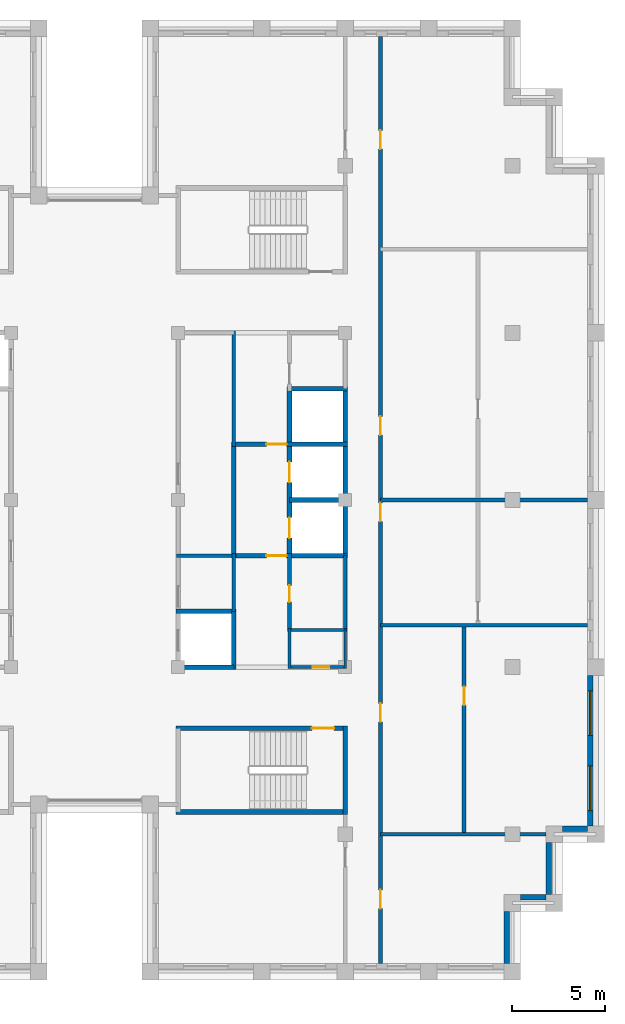
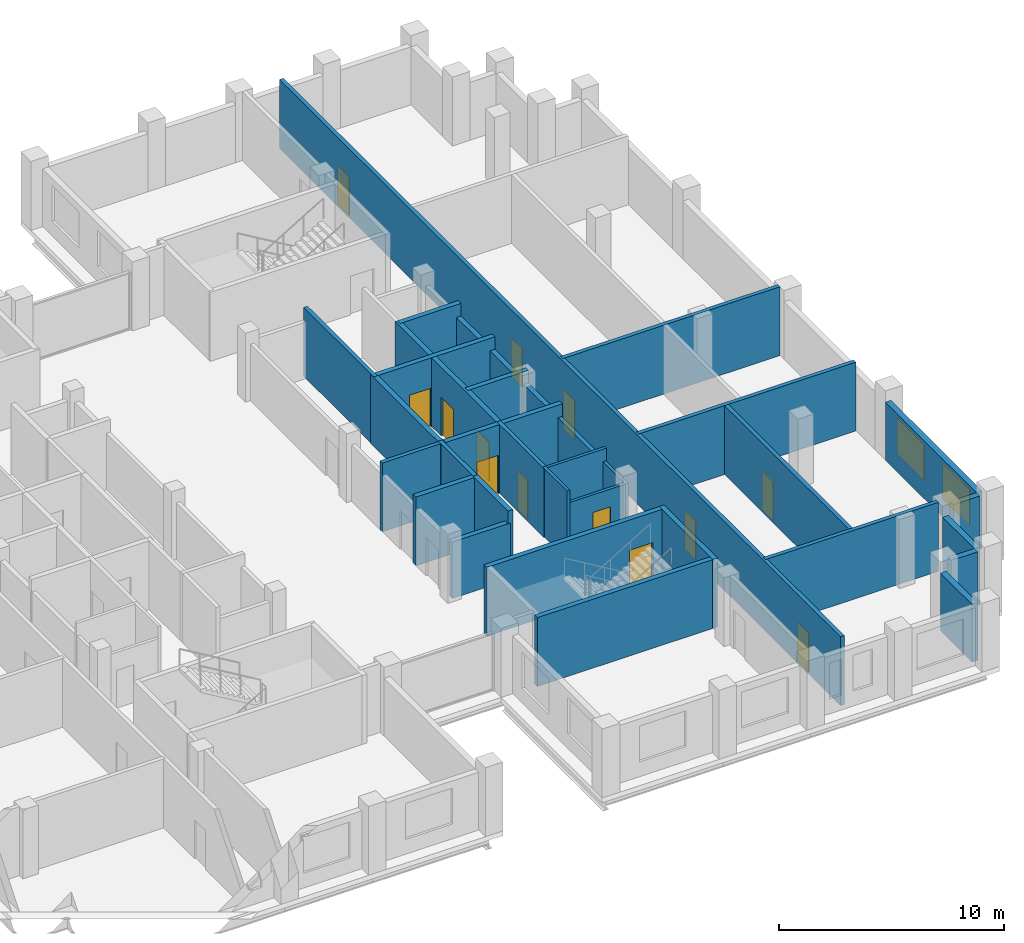
# One storey, part 8 of 13: 32 walls, 13 doors, 2 windows, 15 openings.
"""IFC4 building model written with IfcOpenShell, lengths in metres."""

import ifcopenshell
import ifcopenshell.guid

model = None  # the IFC model being written
_history = None  # IfcOwnerHistory: only IFC2X3 demands one
_inside = {}  # id of a spatial element -> (the spatial element, [elements in it])
_under = {}  # id of a project, library or spatial element -> (it, [spatial elements below it])
_declared = {}  # id of a project -> (the project, [libraries it declares])
_typed = {}  # id of a type object -> (the type object, [elements of that type])
_made_of = {}  # id of a material, layer set ... -> (it, [elements and type objects made of it])


def new_model(schema):
    """Start an empty IFC model of exactly this schema.

    Asked for "IFC4X3", IfcOpenShell would pick the latest addendum, in which some entities
    have other attributes; the version numbers below select the first issue.
    IFC2X3 requires an IfcOwnerHistory on every rooted entity: one is made here for all.
    """
    global model, _history
    if schema == "IFC4X3":
        model = ifcopenshell.file(schema_version=(4, 3, 0, 0))
    else:
        model = ifcopenshell.file(schema=schema)
    _inside.clear()
    _under.clear()
    _declared.clear()
    _typed.clear()
    _made_of.clear()
    _history = None
    if model.schema == "IFC2X3":
        org = make("IfcOrganization", Name="unknown")
        user = make(
            "IfcPersonAndOrganization",
            ThePerson=make("IfcPerson", FamilyName="unknown"),
            TheOrganization=org,
        )
        app = make(
            "IfcApplication",
            ApplicationDeveloper=org,
            Version="unknown",
            ApplicationFullName="unknown",
            ApplicationIdentifier="unknown",
        )
        _history = make(
            "IfcOwnerHistory",
            OwningUser=user,
            OwningApplication=app,
            ChangeAction="ADDED",
            CreationDate=0,
        )
    return model


def make(cls, **values):
    """One entity of the class cls with the attributes given. An attribute that is None is left unset."""
    return model.create_entity(
        cls, **{name: value for name, value in values.items() if value is not None}
    )


def rooted(cls, **values):
    """An entity with a GlobalId (a new one), such as an element, a storey or a relation."""
    return make(cls, GlobalId=ifcopenshell.guid.new(), OwnerHistory=_history, **values)


def si_unit(unit_type, name, prefix=None):
    """IfcSIUnit, for example si_unit("LENGTHUNIT", "METRE", prefix="MILLI")."""
    return make("IfcSIUnit", UnitType=unit_type, Prefix=prefix, Name=name)


def assignment(units):
    """IfcUnitAssignment: the units of a project."""
    return None if units is None else make("IfcUnitAssignment", Units=units)


def point(xyz):
    """IfcCartesianPoint."""
    return None if xyz is None else make("IfcCartesianPoint", Coordinates=xyz)


def direction(xyz):
    """IfcDirection."""
    return None if xyz is None else make("IfcDirection", DirectionRatios=xyz)


def frame(location, z_axis=None, x_axis=None):
    """IfcAxis2Placement3D, a coordinate frame: its origin and axes. An axis left out is left unset."""
    return make(
        "IfcAxis2Placement3D",
        Location=point(location),
        Axis=direction(z_axis),
        RefDirection=direction(x_axis),
    )


def frame_2d(location, x_axis=None):
    """IfcAxis2Placement2D, a coordinate frame in the plane: its origin and x axis."""
    return make(
        "IfcAxis2Placement2D", Location=point(location), RefDirection=direction(x_axis)
    )


def origin():
    """The frame at (0, 0, 0) with its axes left unset."""
    return frame((0.0, 0.0, 0.0))


def place(relative_to, where):
    """IfcLocalPlacement: puts the frame where relative to a parent placement (None: the world)."""
    return make(
        "IfcLocalPlacement", PlacementRelTo=relative_to, RelativePlacement=where
    )


def context(
    kind, dimensions, precision=None, world=None, true_north=None, identifier=None
):
    """IfcGeometricRepresentationContext, for example the 3D "Model" context."""
    return make(
        "IfcGeometricRepresentationContext",
        ContextIdentifier=identifier,
        ContextType=kind,
        CoordinateSpaceDimension=dimensions,
        Precision=precision,
        WorldCoordinateSystem=world,
        TrueNorth=true_north,
    )


def subcontext(parent, identifier, kind, view, scale=None):
    """IfcGeometricRepresentationSubContext, for example "Body" below "Model"."""
    return make(
        "IfcGeometricRepresentationSubContext",
        ContextIdentifier=identifier,
        ContextType=kind,
        ParentContext=parent,
        TargetScale=scale,
        TargetView=view,
    )


def project(units=None, contexts=None):
    """IfcProject with its units and contexts."""
    return rooted(
        "IfcProject",
        Name="project",
        RepresentationContexts=contexts,
        UnitsInContext=assignment(units),
    )


def spatial(cls, under=None, at=None, **own):
    """A site, building, storey or space (cls), placed at a placement, below another one or the project."""
    s = rooted(cls, ObjectPlacement=at, **own)
    if under is not None:
        _under.setdefault(under.id(), (under, []))[1].append(s)
    return s


def profile(cls, at=None, kind="AREA", **sizes):
    """A parametric profile (cls). Its sizes go by their IFC names, for example OverallWidth=200.0."""
    return make(cls, ProfileType=kind, Position=at, **sizes)


def rectangle(**sizes):
    """IfcRectangleProfileDef."""
    return profile("IfcRectangleProfileDef", **sizes)


def extrude(swept, where, along, depth):
    """IfcExtrudedAreaSolid: the profile swept, set in the frame where, extruded along a direction by depth."""
    return make(
        "IfcExtrudedAreaSolid",
        SweptArea=swept,
        Position=where,
        ExtrudedDirection=direction(along),
        Depth=depth,
    )


def shape(context_of_items, identifier, shape_type, items):
    """IfcShapeRepresentation: the items that make up one representation, for example the "Body"."""
    return make(
        "IfcShapeRepresentation",
        ContextOfItems=context_of_items,
        RepresentationIdentifier=identifier,
        RepresentationType=shape_type,
        Items=items,
    )


def material(Name=None, Category=None):
    """IfcMaterial."""
    return make("IfcMaterial", Name=Name, Category=Category)


def layer(
    of_material, thickness, ventilated=None, Name=None, Category=None, Priority=None
):
    """IfcMaterialLayer: one layer of a wall or slab, of a material (None: an air gap)."""
    return make(
        "IfcMaterialLayer",
        Material=of_material,
        LayerThickness=thickness,
        IsVentilated=ventilated,
        Name=Name,
        Category=Category,
        Priority=Priority,
    )


def layer_set(layers, Name=None):
    """IfcMaterialLayerSet."""
    return make("IfcMaterialLayerSet", MaterialLayers=layers, LayerSetName=Name)


def made_of(thing, what):
    """Note that an element or type object is made of a material, layer set ...; save() writes the relation."""
    if what is not None:
        _made_of.setdefault(what.id(), (what, []))[1].append(thing)
    return thing


def type_object(cls, material=None, **own):
    """A type object (cls), such as IfcWallType, which elements share."""
    return made_of(rooted(cls, **own), material)


def element(
    cls,
    number,
    at=None,
    inside=None,
    cuts=None,
    type_object=None,
    material=None,
    context=None,
    identifier="Body",
    shape_type=None,
    held_by="IfcProductDefinitionShape",
    body=None,
    shapes=None,
    **own,
):
    """One element of the class cls, such as IfcWall. Its Tag is "e" and its number.

    at: its placement. inside: the storey or other place that contains it. cuts: it is an
    opening in that element (IfcRelVoidsElement). A single representation is given by context,
    identifier, shape_type and body (its items); several are given by shapes. held_by: the class
    of the entity that holds the representations. save() writes the other relations.
    """
    e = rooted(cls, Tag="e%d" % number, ObjectPlacement=at, **own)
    if body is not None:
        shapes = [shape(context, identifier, shape_type, body)]
    if shapes is not None:
        e.Representation = make(held_by, Representations=shapes)
    if inside is not None:
        _inside.setdefault(inside.id(), (inside, []))[1].append(e)
    if cuts is not None:
        rooted(
            "IfcRelVoidsElement", RelatingBuildingElement=cuts, RelatedOpeningElement=e
        )
    if type_object is not None:
        _typed.setdefault(type_object.id(), (type_object, []))[1].append(e)
    return made_of(e, material)


def fill(opening, filler):
    """IfcRelFillsElement: the door or window that sits in an opening."""
    return rooted(
        "IfcRelFillsElement",
        RelatingOpeningElement=opening,
        RelatedBuildingElement=filler,
    )


def aggregate(whole, parts):
    """IfcRelAggregates: a whole, such as a stair, and the parts it consists of."""
    return rooted("IfcRelAggregates", RelatingObject=whole, RelatedObjects=parts)


def save(model, path):
    """Write the relations noted so far, then the file.

    IfcRelAggregates (storeys below a building ...), IfcRelContainedInSpatialStructure (elements
    in a storey), IfcRelDefinesByType, IfcRelAssociatesMaterial and IfcRelDeclares: one each for
    every whole, place, type object, material and project.
    """
    for whole, parts in _under.values():
        aggregate(whole, parts)
    for where, things in _inside.values():
        rooted(
            "IfcRelContainedInSpatialStructure",
            RelatedElements=things,
            RelatingStructure=where,
        )
    for kind, things in _typed.values():
        rooted("IfcRelDefinesByType", RelatedObjects=things, RelatingType=kind)
    for what, things in _made_of.values():
        rooted("IfcRelAssociatesMaterial", RelatedObjects=things, RelatingMaterial=what)
    for by, libraries in _declared.values():
        rooted("IfcRelDeclares", RelatingContext=by, RelatedDefinitions=libraries)
    model.write(path)


model = new_model("IFC4")

# Units and contexts
model_context = context("Model", 3, precision=1e-05, world=origin(), true_north=direction((0.0, 1.0)))
body_context = subcontext(model_context, "Body", "Model", "MODEL_VIEW")
ifc_project = project(units=[si_unit("LENGTHUNIT", "METRE"), si_unit("AREAUNIT", "SQUARE_METRE"), si_unit("VOLUMEUNIT", "CUBIC_METRE"), si_unit("PLANEANGLEUNIT", "RADIAN"), si_unit("MASSUNIT", "GRAM", prefix="KILO")], contexts=[model_context])

# Site, building, storey
site_placement = place(None, origin())
site = spatial("IfcSite", under=ifc_project, at=site_placement, CompositionType="ELEMENT")
building_placement = place(site_placement, origin())
building = spatial("IfcBuilding", under=site, at=building_placement, Name="Corbelhall Arena Tower", CompositionType="ELEMENT")
storey_placement = place(building_placement, frame((0.0, 0.0, 330.0)))
storey = spatial("IfcBuildingStorey", under=building, at=storey_placement, Name="L72", CompositionType="ELEMENT", Elevation=330.0)

# Walls
ifc_material_1 = material(Name="Precast concrete C40/50 with granite facing", Category="masonry")
ifc_layer_1 = layer(ifc_material_1, 0.300048828125)
ifc_layer_set_1 = layer_set([ifc_layer_1], Name="EV-IW1 Infill panel 300")
wall_type_1 = type_object("IfcWallType", Name="EV-IW1 Infill panel 300", PredefinedType="SOLIDWALL", material=ifc_layer_set_1)
wall_1_placement = place(storey_placement, frame((22.199951171875, -24.949951171875, 0.0), z_axis=(0.0, 0.0, 1.0), x_axis=(0.0, 1.0, 0.0)))
element("IfcWall", 1, at=wall_1_placement, inside=storey, type_object=wall_type_1, Name="Infill panel IW1", PredefinedType="SOLIDWALL", context=body_context, shape_type="SweptSolid", body=[
    extrude(rectangle(XDim=2.800048828125, YDim=0.300048828125, at=frame_2d((1.39990234375, 0.0))), origin(), (0.0, 0.0, 1.0), 3.139892578125),
])
wall_2_placement = place(storey_placement, frame((22.949951171875, -21.39990234375, 0.0), z_axis=(0.0, 0.0, 1.0), x_axis=(1.0, 0.0, 0.0)))
element("IfcWall", 2, at=wall_2_placement, inside=storey, type_object=wall_type_1, Name="Infill panel IW1", PredefinedType="SOLIDWALL", context=body_context, shape_type="SweptSolid", body=[
    extrude(rectangle(XDim=1.35009765625, YDim=0.300048828125, at=frame_2d((0.675048828125, 0.0))), origin(), (0.0, 0.0, 1.0), 3.139892578125),
])
wall_3_placement = place(storey_placement, frame((24.449951171875, -21.25, 0.0), z_axis=(0.0, 0.0, 1.0), x_axis=(0.0, 1.0, 0.0)))
element("IfcWall", 3, at=wall_3_placement, inside=storey, type_object=wall_type_1, Name="Infill panel IW1", PredefinedType="SOLIDWALL", context=body_context, shape_type="SweptSolid", body=[
    extrude(rectangle(XDim=2.800048828125, YDim=0.300048828125, at=frame_2d((1.39990234375, 0.0))), origin(), (0.0, 0.0, 1.0), 3.139892578125),
])
wall_4_placement = place(storey_placement, frame((25.199951171875, -17.699951171875, 0.0), z_axis=(0.0, 0.0, 1.0), x_axis=(1.0, 0.0, 0.0)))
element("IfcWall", 4, at=wall_4_placement, inside=storey, type_object=wall_type_1, Name="Infill panel IW1", PredefinedType="SOLIDWALL", context=body_context, shape_type="SweptSolid", body=[
    extrude(rectangle(XDim=1.35009765625, YDim=0.300048828125, at=frame_2d((0.675048828125, 0.0))), origin(), (0.0, 0.0, 1.0), 3.139892578125),
])

# Wall, openings, windows
wall_5_placement = place(storey_placement, frame((26.699951171875, -17.550048828125, 0.0), z_axis=(0.0, 0.0, 1.0), x_axis=(0.0, 1.0, 0.0)))
wall_5 = element("IfcWall", 5, at=wall_5_placement, inside=storey, type_object=wall_type_1, Name="Infill panel IW1", PredefinedType="SOLIDWALL", context=body_context, shape_type="SweptSolid", body=[
    extrude(rectangle(XDim=8.10009765625, YDim=0.300048828125, at=frame_2d((4.050048828125, 0.0))), origin(), (0.0, 0.0, 1.0), 3.139892578125),
])
opening_1_placement = place(wall_5_placement, frame((0.824951171875, 0.0, 0.800048828125)))
opening_1 = element("IfcOpeningElement", 6, at=opening_1_placement, cuts=wall_5, Name="Opening WN1", PredefinedType="OPENING", context=body_context, shape_type="SweptSolid", body=[
    extrude(rectangle(XDim=2.39990234375, YDim=1.949951171875, at=frame_2d((1.199951171875, 0.97509765625))), frame((0.0, 0.14990234375, 0.0), z_axis=(0.0, -1.0, 0.0), x_axis=(1.0, 0.0, 0.0)), (0.0, 0.0, 1.0), 0.300048828125),
])
opening_2_placement = place(wall_5_placement, frame((4.875, 0.0, 0.800048828125)))
opening_2 = element("IfcOpeningElement", 7, at=opening_2_placement, cuts=wall_5, Name="Opening WN1", PredefinedType="OPENING", context=body_context, shape_type="SweptSolid", body=[
    extrude(rectangle(XDim=2.39990234375, YDim=1.949951171875, at=frame_2d((1.199951171875, 0.97509765625))), frame((0.0, 0.14990234375, 0.0), z_axis=(0.0, -1.0, 0.0), x_axis=(1.0, 0.0, 0.0)), (0.0, 0.0, 1.0), 0.300048828125),
])
ifc_material_2 = material(Name="Aluminium black anodised", Category="aluminium")
window_type = type_object("IfcWindowType", Name="EV-WN1 Office window", PartitioningType="SINGLE_PANEL", PredefinedType="WINDOW", material=ifc_material_2)
window_1_placement = place(opening_1_placement, origin())
window_1 = element("IfcWindow", 8, at=window_1_placement, inside=storey, type_object=window_type, Name="Window WN1", OverallHeight=1.949951171875, OverallWidth=2.39990234375, PartitioningType="SINGLE_PANEL", PredefinedType="WINDOW", context=body_context, shape_type="SweptSolid", body=[
    extrude(rectangle(XDim=2.39990234375, YDim=1.949951171875, at=frame_2d((1.199951171875, 0.97509765625))), frame((0.0, 0.030029296875, 0.0), z_axis=(0.0, -1.0, 0.0), x_axis=(1.0, 0.0, 0.0)), (0.0, 0.0, 1.0), 0.06005859375),
])
fill(opening_1, window_1)
window_2_placement = place(opening_2_placement, origin())
window_2 = element("IfcWindow", 9, at=window_2_placement, inside=storey, type_object=window_type, Name="Window WN1", OverallHeight=1.949951171875, OverallWidth=2.39990234375, PartitioningType="SINGLE_PANEL", PredefinedType="WINDOW", context=body_context, shape_type="SweptSolid", body=[
    extrude(rectangle(XDim=2.39990234375, YDim=1.949951171875, at=frame_2d((1.199951171875, 0.97509765625))), frame((0.0, 0.030029296875, 0.0), z_axis=(0.0, -1.0, 0.0), x_axis=(1.0, 0.0, 0.0)), (0.0, 0.0, 1.0), 0.06005859375),
])
fill(opening_2, window_2)

# Wall
ifc_material_3 = material(Name="Gypsum board on steel stud, acoustic", Category="steel")
ifc_layer_2 = layer(ifc_material_3, 0.199951171875)
ifc_layer_set_2 = layer_set([ifc_layer_2], Name="IN-W-DM200")
wall_type_2 = type_object("IfcWallType", Name="IN-W-DM200", PredefinedType="PARTITIONING", material=ifc_layer_set_2)
wall_6_placement = place(storey_placement, frame((15.39990234375, -18.0, 0.0), z_axis=(0.0, 0.0, 1.0), x_axis=(1.0, 0.0, 0.0)))
element("IfcWall", 10, at=wall_6_placement, inside=storey, type_object=wall_type_2, Name="Partition 020", PredefinedType="PARTITIONING", context=body_context, shape_type="SweptSolid", body=[
    extrude(rectangle(XDim=8.900146484375, YDim=0.199951171875, at=frame_2d((4.4501953125, 0.0))), origin(), (0.0, 0.0, 1.0), 3.739990234375),
])

# Wall, openings, doors
wall_7_placement = place(storey_placement, frame((15.39990234375, 24.949951171875, 0.0), z_axis=(0.0, 0.0, 1.0), x_axis=(0.0, -1.0, 0.0)))
wall_7 = element("IfcWall", 11, at=wall_7_placement, inside=storey, type_object=wall_type_2, Name="Partition 021", PredefinedType="PARTITIONING", context=body_context, shape_type="SweptSolid", body=[
    extrude(rectangle(XDim=49.89990234375, YDim=0.199951171875, at=frame_2d((24.949951171875, 0.0))), origin(), (0.0, 0.0, 1.0), 3.739990234375),
])
opening_3_placement = place(wall_7_placement, frame((20.449951171875, 0.0, 0.0)))
opening_3 = element("IfcOpeningElement", 12, at=opening_3_placement, cuts=wall_7, Name="Opening 23029", PredefinedType="OPENING", context=body_context, shape_type="SweptSolid", body=[
    extrude(rectangle(XDim=1.0, YDim=2.10009765625, at=frame_2d((0.5, 1.050048828125))), frame((0.0, 0.10009765625, 0.0), z_axis=(0.0, -1.0, 0.0), x_axis=(1.0, 0.0, 0.0)), (0.0, 0.0, 1.0), 0.199951171875),
])
opening_4_placement = place(wall_7_placement, frame((5.050048828125, 0.0, 0.0)))
opening_4 = element("IfcOpeningElement", 13, at=opening_4_placement, cuts=wall_7, Name="Opening 23031", PredefinedType="OPENING", context=body_context, shape_type="SweptSolid", body=[
    extrude(rectangle(XDim=1.0, YDim=2.10009765625, at=frame_2d((0.5, 1.050048828125))), frame((0.0, 0.10009765625, 0.0), z_axis=(0.0, -1.0, 0.0), x_axis=(1.0, 0.0, 0.0)), (0.0, 0.0, 1.0), 0.199951171875),
])
opening_5_placement = place(wall_7_placement, frame((45.949951171875, 0.0, 0.0)))
opening_5 = element("IfcOpeningElement", 14, at=opening_5_placement, cuts=wall_7, Name="Opening 23032", PredefinedType="OPENING", context=body_context, shape_type="SweptSolid", body=[
    extrude(rectangle(XDim=1.0, YDim=2.10009765625, at=frame_2d((0.5, 1.050048828125))), frame((0.0, 0.10009765625, 0.0), z_axis=(0.0, -1.0, 0.0), x_axis=(1.0, 0.0, 0.0)), (0.0, 0.0, 1.0), 0.199951171875),
])
opening_6_placement = place(wall_7_placement, frame((35.89990234375, 0.0, 0.0)))
opening_6 = element("IfcOpeningElement", 15, at=opening_6_placement, cuts=wall_7, Name="Opening 23033", PredefinedType="OPENING", context=body_context, shape_type="SweptSolid", body=[
    extrude(rectangle(XDim=1.0, YDim=2.10009765625, at=frame_2d((0.5, 1.050048828125))), frame((0.0, 0.10009765625, 0.0), z_axis=(0.0, -1.0, 0.0), x_axis=(1.0, 0.0, 0.0)), (0.0, 0.0, 1.0), 0.199951171875),
])
opening_7_placement = place(wall_7_placement, frame((25.10009765625, 0.0, 0.0)))
opening_7 = element("IfcOpeningElement", 16, at=opening_7_placement, cuts=wall_7, Name="Opening 23335", PredefinedType="OPENING", context=body_context, shape_type="SweptSolid", body=[
    extrude(rectangle(XDim=1.0, YDim=2.10009765625, at=frame_2d((0.5, 1.050048828125))), frame((0.0, 0.10009765625, 0.0), z_axis=(0.0, -1.0, 0.0), x_axis=(1.0, 0.0, 0.0)), (0.0, 0.0, 1.0), 0.199951171875),
])
ifc_material_4 = material(Name="Steel door set", Category="steel")
door_type_1 = type_object("IfcDoorType", Name="IN-D-SW100", OperationType="NOTDEFINED", PredefinedType="DOOR", material=ifc_material_4)
door_1_placement = place(opening_3_placement, origin())
door_1 = element("IfcDoor", 17, at=door_1_placement, inside=storey, type_object=door_type_1, Name="Door 029", OperationType="SINGLE_SWING_RIGHT", OverallHeight=2.10009765625, OverallWidth=1.0, PredefinedType="DOOR", context=body_context, shape_type="SweptSolid", body=[
    extrude(rectangle(XDim=1.0, YDim=2.10009765625, at=frame_2d((0.5, 1.050048828125))), frame((0.0, 0.02490234375, 0.0), z_axis=(0.0, -1.0, 0.0), x_axis=(1.0, 0.0, 0.0)), (0.0, 0.0, 1.0), 0.050048828125),
])
fill(opening_3, door_1)
door_2_placement = place(opening_4_placement, origin())
door_2 = element("IfcDoor", 18, at=door_2_placement, inside=storey, type_object=door_type_1, Name="Door 031", OperationType="SINGLE_SWING_RIGHT", OverallHeight=2.10009765625, OverallWidth=1.0, PredefinedType="DOOR", context=body_context, shape_type="SweptSolid", body=[
    extrude(rectangle(XDim=1.0, YDim=2.10009765625, at=frame_2d((0.5, 1.050048828125))), frame((0.0, 0.02490234375, 0.0), z_axis=(0.0, -1.0, 0.0), x_axis=(1.0, 0.0, 0.0)), (0.0, 0.0, 1.0), 0.050048828125),
])
fill(opening_4, door_2)
door_3_placement = place(opening_5_placement, origin())
door_3 = element("IfcDoor", 19, at=door_3_placement, inside=storey, type_object=door_type_1, Name="Door 032", OperationType="SINGLE_SWING_LEFT", OverallHeight=2.10009765625, OverallWidth=1.0, PredefinedType="DOOR", context=body_context, shape_type="SweptSolid", body=[
    extrude(rectangle(XDim=1.0, YDim=2.10009765625, at=frame_2d((0.5, 1.050048828125))), frame((0.0, 0.02490234375, 0.0), z_axis=(0.0, -1.0, 0.0), x_axis=(1.0, 0.0, 0.0)), (0.0, 0.0, 1.0), 0.050048828125),
])
fill(opening_5, door_3)
door_4_placement = place(opening_6_placement, origin())
door_4 = element("IfcDoor", 20, at=door_4_placement, inside=storey, type_object=door_type_1, Name="Door 033", OperationType="SINGLE_SWING_RIGHT", OverallHeight=2.10009765625, OverallWidth=1.0, PredefinedType="DOOR", context=body_context, shape_type="SweptSolid", body=[
    extrude(rectangle(XDim=1.0, YDim=2.10009765625, at=frame_2d((0.5, 1.050048828125))), frame((0.0, 0.02490234375, 0.0), z_axis=(0.0, -1.0, 0.0), x_axis=(1.0, 0.0, 0.0)), (0.0, 0.0, 1.0), 0.050048828125),
])
fill(opening_6, door_4)
door_5_placement = place(opening_7_placement, origin())
door_5 = element("IfcDoor", 21, at=door_5_placement, inside=storey, type_object=door_type_1, Name="Door 035", OperationType="SINGLE_SWING_RIGHT", OverallHeight=2.10009765625, OverallWidth=1.0, PredefinedType="DOOR", context=body_context, shape_type="SweptSolid", body=[
    extrude(rectangle(XDim=1.0, YDim=2.10009765625, at=frame_2d((0.5, 1.050048828125))), frame((0.0, 0.02490234375, 0.0), z_axis=(0.0, -1.0, 0.0), x_axis=(1.0, 0.0, 0.0)), (0.0, 0.0, 1.0), 0.050048828125),
])
fill(opening_7, door_5)

# Wall
wall_8_placement = place(storey_placement, frame((15.39990234375, -6.75, 0.0), z_axis=(0.0, 0.0, 1.0), x_axis=(1.0, 0.0, 0.0)))
element("IfcWall", 22, at=wall_8_placement, inside=storey, type_object=wall_type_2, Name="Partition 022", PredefinedType="PARTITIONING", context=body_context, shape_type="SweptSolid", body=[
    extrude(rectangle(XDim=11.150146484375, YDim=0.199951171875, at=frame_2d((5.5751953125, 0.0))), origin(), (0.0, 0.0, 1.0), 3.739990234375),
])

# Wall, opening, door
wall_9_placement = place(storey_placement, frame((19.89990234375, -6.64990234375, 0.0), z_axis=(0.0, 0.0, 1.0), x_axis=(0.0, -1.0, 0.0)))
wall_9 = element("IfcWall", 23, at=wall_9_placement, inside=storey, type_object=wall_type_2, Name="Partition 024", PredefinedType="PARTITIONING", context=body_context, shape_type="SweptSolid", body=[
    extrude(rectangle(XDim=11.35009765625, YDim=0.199951171875, at=frame_2d((5.675048828125, 0.0))), origin(), (0.0, 0.0, 1.0), 3.739990234375),
])
opening_8_placement = place(wall_9_placement, frame((3.39990234375, 0.0, 0.0)))
opening_8 = element("IfcOpeningElement", 24, at=opening_8_placement, cuts=wall_9, Name="Opening 23034", PredefinedType="OPENING", context=body_context, shape_type="SweptSolid", body=[
    extrude(rectangle(XDim=1.0, YDim=2.10009765625, at=frame_2d((0.5, 1.050048828125))), frame((0.0, 0.10009765625, 0.0), z_axis=(0.0, -1.0, 0.0), x_axis=(1.0, 0.0, 0.0)), (0.0, 0.0, 1.0), 0.199951171875),
])
door_6_placement = place(opening_8_placement, origin())
door_6 = element("IfcDoor", 25, at=door_6_placement, inside=storey, type_object=door_type_1, Name="Door 034", OperationType="SINGLE_SWING_LEFT", OverallHeight=2.10009765625, OverallWidth=1.0, PredefinedType="DOOR", context=body_context, shape_type="SweptSolid", body=[
    extrude(rectangle(XDim=1.0, YDim=2.10009765625, at=frame_2d((0.5, 1.050048828125))), frame((0.0, 0.02490234375, 0.0), z_axis=(0.0, -1.0, 0.0), x_axis=(1.0, 0.0, 0.0)), (0.0, 0.0, 1.0), 0.050048828125),
])
fill(opening_8, door_6)

# Walls
wall_10_placement = place(storey_placement, frame((26.550048828125, 0.0, 0.0), z_axis=(0.0, 0.0, 1.0), x_axis=(-1.0, 0.0, 0.0)))
element("IfcWall", 26, at=wall_10_placement, inside=storey, type_object=wall_type_2, Name="Partition 026", PredefinedType="PARTITIONING", context=body_context, shape_type="SweptSolid", body=[
    extrude(rectangle(XDim=11.150146484375, YDim=0.199951171875, at=frame_2d((5.5751953125, 0.0))), origin(), (0.0, 0.0, 1.0), 3.739990234375),
])
ifc_material_5 = material(Name="Concrete block wall", Category="concrete")
ifc_layer_3 = layer(ifc_material_5, 0.199951171875)
ifc_layer_set_3 = layer_set([ifc_layer_3], Name="IN-W-RS200")
wall_type_3 = type_object("IfcWallType", Name="IN-W-RS200", PredefinedType="SOLIDWALL", material=ifc_layer_set_3)
wall_11_placement = place(storey_placement, frame((4.39990234375, -3.0, 0.0), z_axis=(0.0, 0.0, 1.0), x_axis=(1.0, 0.0, 0.0)))
element("IfcWall", 27, at=wall_11_placement, inside=storey, type_object=wall_type_3, Name="Partition 037", PredefinedType="SOLIDWALL", context=body_context, shape_type="SweptSolid", body=[
    extrude(rectangle(XDim=3.22509765625, YDim=0.199951171875, at=frame_2d((1.612548828125, 0.0))), origin(), (0.0, 0.0, 1.0), 3.739990234375),
])
wall_12_placement = place(storey_placement, frame((7.5, -2.875, 0.0), z_axis=(0.0, 0.0, 1.0), x_axis=(0.0, -1.0, 0.0)))
element("IfcWall", 28, at=wall_12_placement, inside=storey, type_object=wall_type_3, Name="Partition 040", PredefinedType="SOLIDWALL", context=body_context, shape_type="SweptSolid", body=[
    extrude(rectangle(XDim=3.125, YDim=0.199951171875, at=frame_2d((1.5625, 0.0))), origin(), (0.0, 0.0, 1.0), 3.739990234375),
])
wall_13_placement = place(storey_placement, frame((7.5, 9.10009765625, 0.0), z_axis=(0.0, 0.0, 1.0), x_axis=(0.0, -1.0, 0.0)))
element("IfcWall", 29, at=wall_13_placement, inside=storey, type_object=wall_type_3, Name="Partition 041", PredefinedType="SOLIDWALL", context=body_context, shape_type="SweptSolid", body=[
    extrude(rectangle(XDim=6.22509765625, YDim=0.199951171875, at=frame_2d((3.112548828125, 0.0))), origin(), (0.0, 0.0, 1.0), 3.739990234375),
])

# Wall, opening, door
wall_14_placement = place(storey_placement, frame((10.5, -2.875, 0.0), z_axis=(0.0, 0.0, 1.0), x_axis=(0.0, -1.0, 0.0)))
wall_14 = element("IfcWall", 30, at=wall_14_placement, inside=storey, type_object=wall_type_3, Name="Partition 042", PredefinedType="SOLIDWALL", context=body_context, shape_type="SweptSolid", body=[
    extrude(rectangle(XDim=4.199951171875, YDim=0.199951171875, at=frame_2d((2.10009765625, 0.0))), origin(), (0.0, 0.0, 1.0), 3.739990234375),
])
opening_9_placement = place(wall_14_placement, frame((1.719970703125, 0.0, 0.0)))
opening_9 = element("IfcOpeningElement", 31, at=opening_9_placement, cuts=wall_14, Name="Opening 23037", PredefinedType="OPENING", context=body_context, shape_type="SweptSolid", body=[
    extrude(rectangle(XDim=0.89990234375, YDim=2.10009765625, at=frame_2d((0.449951171875, 1.050048828125))), frame((0.0, 0.10009765625, 0.0), z_axis=(0.0, -1.0, 0.0), x_axis=(1.0, 0.0, 0.0)), (0.0, 0.0, 1.0), 0.199951171875),
])
ifc_material_6 = material(Name="Timber door set", Category="wood")
door_type_2 = type_object("IfcDoorType", Name="IN-D-SW90", OperationType="NOTDEFINED", PredefinedType="DOOR", material=ifc_material_6)
door_7_placement = place(opening_9_placement, origin())
door_7 = element("IfcDoor", 32, at=door_7_placement, inside=storey, type_object=door_type_2, Name="Door 037", OperationType="SINGLE_SWING_LEFT", OverallHeight=2.10009765625, OverallWidth=0.89990234375, PredefinedType="DOOR", context=body_context, shape_type="SweptSolid", body=[
    extrude(rectangle(XDim=0.89990234375, YDim=2.10009765625, at=frame_2d((0.449951171875, 1.050048828125))), frame((0.0, 0.02490234375, 0.0), z_axis=(0.0, -1.0, 0.0), x_axis=(1.0, 0.0, 0.0)), (0.0, 0.0, 1.0), 0.050048828125),
])
fill(opening_9, door_7)

# Walls
ifc_layer_4 = layer(ifc_material_5, 0.199951171875)
ifc_layer_set_4 = layer_set([ifc_layer_4], Name="IN-W-RS200 under beam 678 mm")
wall_type_4 = type_object("IfcWallType", Name="IN-W-RS200 under beam 678 mm", PredefinedType="SOLIDWALL", material=ifc_layer_set_4)
wall_15_placement = place(storey_placement, frame((13.5, -3.0, 0.0), z_axis=(0.0, 0.0, 1.0), x_axis=(0.0, -1.0, 0.0)))
element("IfcWall", 33, at=wall_15_placement, inside=storey, type_object=wall_type_4, Name="Partition 045", PredefinedType="SOLIDWALL", context=body_context, shape_type="SweptSolid", body=[
    extrude(rectangle(XDim=4.0, YDim=0.199951171875, at=frame_2d((2.0, 0.0))), origin(), (0.0, 0.0, 1.0), 3.061767578125),
])
ifc_material_7 = material(Name="Concrete C40/50", Category="concrete")
ifc_layer_5 = layer(ifc_material_7, 0.25)
ifc_layer_set_5 = layer_set([ifc_layer_5], Name="IN-W-SH250")
wall_type_5 = type_object("IfcWallType", Name="IN-W-SH250", PredefinedType="SOLIDWALL", material=ifc_layer_set_5)
wall_16_placement = place(storey_placement, frame((4.375, -6.0, 0.0), z_axis=(0.0, 0.0, 1.0), x_axis=(1.0, 0.0, 0.0)))
element("IfcWall", 34, at=wall_16_placement, inside=storey, type_object=wall_type_5, Name="Shaft wall 057", PredefinedType="SOLIDWALL", context=body_context, shape_type="SweptSolid", body=[
    extrude(rectangle(XDim=3.25, YDim=0.25, at=frame_2d((1.625, 0.0))), origin(), (0.0, 0.0, 1.0), 3.739990234375),
])
wall_17_placement = place(storey_placement, frame((7.5, -6.0, 0.0), z_axis=(0.0, 0.0, 1.0), x_axis=(0.0, -1.0, 0.0)))
element("IfcWall", 35, at=wall_17_placement, inside=storey, type_object=wall_type_5, Name="Shaft wall 060", PredefinedType="SOLIDWALL", context=body_context, shape_type="SweptSolid", body=[
    extrude(rectangle(XDim=3.125, YDim=0.25, at=frame_2d((1.5625, 0.0))), origin(), (0.0, 0.0, 1.0), 3.739990234375),
])

# Wall, opening, door
wall_18_placement = place(storey_placement, frame((7.5, -3.0, 0.0), z_axis=(0.0, 0.0, 1.0), x_axis=(1.0, 0.0, 0.0)))
wall_18 = element("IfcWall", 36, at=wall_18_placement, inside=storey, type_object=wall_type_5, Name="Shaft wall 061", PredefinedType="SOLIDWALL", context=body_context, shape_type="SweptSolid", body=[
    extrude(rectangle(XDim=6.125, YDim=0.25, at=frame_2d((3.0625, 0.0))), origin(), (0.0, 0.0, 1.0), 3.739990234375),
])
opening_10_placement = place(wall_18_placement, frame((1.75, 0.0, 0.0)))
opening_10 = element("IfcOpeningElement", 37, at=opening_10_placement, cuts=wall_18, Name="Opening 23011", PredefinedType="OPENING", context=body_context, shape_type="SweptSolid", body=[
    extrude(rectangle(XDim=1.10009765625, YDim=2.10009765625, at=frame_2d((0.550048828125, 1.050048828125))), frame((0.0, 0.125, 0.0), z_axis=(0.0, -1.0, 0.0), x_axis=(1.0, 0.0, 0.0)), (0.0, 0.0, 1.0), 0.25),
])
door_type_3 = type_object("IfcDoorType", Name="IN-D-FD110", OperationType="NOTDEFINED", PredefinedType="DOOR", material=ifc_material_4)
door_8_placement = place(opening_10_placement, origin())
door_8 = element("IfcDoor", 38, at=door_8_placement, inside=storey, type_object=door_type_3, Name="Door 011", OperationType="SINGLE_SWING_RIGHT", OverallHeight=2.10009765625, OverallWidth=1.10009765625, PredefinedType="DOOR", context=body_context, shape_type="SweptSolid", body=[
    extrude(rectangle(XDim=1.10009765625, YDim=2.10009765625, at=frame_2d((0.550048828125, 1.050048828125))), frame((0.0, 0.02490234375, 0.0), z_axis=(0.0, -1.0, 0.0), x_axis=(1.0, 0.0, 0.0)), (0.0, 0.0, 1.0), 0.050048828125),
])
fill(opening_10, door_8)

wall_19_placement = place(storey_placement, frame((7.5, 3.0, 0.0), z_axis=(0.0, 0.0, 1.0), x_axis=(1.0, 0.0, 0.0)))
wall_19 = element("IfcWall", 39, at=wall_19_placement, inside=storey, type_object=wall_type_5, Name="Shaft wall 062", PredefinedType="SOLIDWALL", context=body_context, shape_type="SweptSolid", body=[
    extrude(rectangle(XDim=6.125, YDim=0.25, at=frame_2d((3.0625, 0.0))), origin(), (0.0, 0.0, 1.0), 3.739990234375),
])
opening_11_placement = place(wall_19_placement, frame((1.75, 0.0, 0.0)))
opening_11 = element("IfcOpeningElement", 40, at=opening_11_placement, cuts=wall_19, Name="Opening 23012", PredefinedType="OPENING", context=body_context, shape_type="SweptSolid", body=[
    extrude(rectangle(XDim=1.10009765625, YDim=2.10009765625, at=frame_2d((0.550048828125, 1.050048828125))), frame((0.0, 0.125, 0.0), z_axis=(0.0, -1.0, 0.0), x_axis=(1.0, 0.0, 0.0)), (0.0, 0.0, 1.0), 0.25),
])
door_9_placement = place(opening_11_placement, origin())
door_9 = element("IfcDoor", 41, at=door_9_placement, inside=storey, type_object=door_type_3, Name="Door 012", OperationType="SINGLE_SWING_LEFT", OverallHeight=2.10009765625, OverallWidth=1.10009765625, PredefinedType="DOOR", context=body_context, shape_type="SweptSolid", body=[
    extrude(rectangle(XDim=1.10009765625, YDim=2.10009765625, at=frame_2d((0.550048828125, 1.050048828125))), frame((0.0, 0.02490234375, 0.0), z_axis=(0.0, -1.0, 0.0), x_axis=(1.0, 0.0, 0.0)), (0.0, 0.0, 1.0), 0.050048828125),
])
fill(opening_11, door_9)

# Walls
wall_20_placement = place(storey_placement, frame((7.5, 3.125, 0.0), z_axis=(0.0, 0.0, 1.0), x_axis=(0.0, -1.0, 0.0)))
element("IfcWall", 42, at=wall_20_placement, inside=storey, type_object=wall_type_5, Name="Shaft wall 063", PredefinedType="SOLIDWALL", context=body_context, shape_type="SweptSolid", body=[
    extrude(rectangle(XDim=6.25, YDim=0.25, at=frame_2d((3.125, 0.0))), origin(), (0.0, 0.0, 1.0), 3.739990234375),
])
wall_21_placement = place(storey_placement, frame((10.5, 0.0, 0.0), z_axis=(0.0, 0.0, 1.0), x_axis=(1.0, 0.0, 0.0)))
element("IfcWall", 43, at=wall_21_placement, inside=storey, type_object=wall_type_5, Name="Shaft wall 064", PredefinedType="SOLIDWALL", context=body_context, shape_type="SweptSolid", body=[
    extrude(rectangle(XDim=3.125, YDim=0.25, at=frame_2d((1.5625, 0.0))), origin(), (0.0, 0.0, 1.0), 3.739990234375),
])

# Wall, openings, doors
wall_22_placement = place(storey_placement, frame((10.5, 6.125, 0.0), z_axis=(0.0, 0.0, 1.0), x_axis=(0.0, -1.0, 0.0)))
wall_22 = element("IfcWall", 44, at=wall_22_placement, inside=storey, type_object=wall_type_5, Name="Shaft wall 065", PredefinedType="SOLIDWALL", context=body_context, shape_type="SweptSolid", body=[
    extrude(rectangle(XDim=9.25, YDim=0.25, at=frame_2d((4.625, 0.0))), origin(), (0.0, 0.0, 1.0), 3.739990234375),
])
opening_12_placement = place(wall_22_placement, frame((7.074951171875, 0.0, 0.0)))
opening_12 = element("IfcOpeningElement", 45, at=opening_12_placement, cuts=wall_22, Name="Opening LD", PredefinedType="OPENING", context=body_context, shape_type="SweptSolid", body=[
    extrude(rectangle(XDim=1.10009765625, YDim=2.10009765625, at=frame_2d((0.550048828125, 1.050048828125))), frame((0.0, 0.125, 0.0), z_axis=(0.0, -1.0, 0.0), x_axis=(1.0, 0.0, 0.0)), (0.0, 0.0, 1.0), 0.25),
])
opening_13_placement = place(wall_22_placement, frame((4.074951171875, 0.0, 0.0)))
opening_13 = element("IfcOpeningElement", 46, at=opening_13_placement, cuts=wall_22, Name="Opening LD", PredefinedType="OPENING", context=body_context, shape_type="SweptSolid", body=[
    extrude(rectangle(XDim=1.10009765625, YDim=2.10009765625, at=frame_2d((0.550048828125, 1.050048828125))), frame((0.0, 0.125, 0.0), z_axis=(0.0, -1.0, 0.0), x_axis=(1.0, 0.0, 0.0)), (0.0, 0.0, 1.0), 0.25),
])
door_type_4 = type_object("IfcDoorType", Name="IN-D-LD110", OperationType="NOTDEFINED", PredefinedType="DOOR", material=ifc_material_4)
door_10_placement = place(opening_12_placement, origin())
door_10 = element("IfcDoor", 47, at=door_10_placement, inside=storey, type_object=door_type_4, Name="Landing door E3", OperationType="SLIDING_TO_LEFT", OverallHeight=2.10009765625, OverallWidth=1.10009765625, PredefinedType="DOOR", context=body_context, shape_type="SweptSolid", body=[
    extrude(rectangle(XDim=1.10009765625, YDim=2.10009765625, at=frame_2d((0.550048828125, 1.050048828125))), frame((0.0, 0.02490234375, 0.0), z_axis=(0.0, -1.0, 0.0), x_axis=(1.0, 0.0, 0.0)), (0.0, 0.0, 1.0), 0.050048828125),
])
fill(opening_12, door_10)
door_11_placement = place(opening_13_placement, origin())
door_11 = element("IfcDoor", 48, at=door_11_placement, inside=storey, type_object=door_type_4, Name="Landing door E4", OperationType="SLIDING_TO_LEFT", OverallHeight=2.10009765625, OverallWidth=1.10009765625, PredefinedType="DOOR", context=body_context, shape_type="SweptSolid", body=[
    extrude(rectangle(XDim=1.10009765625, YDim=2.10009765625, at=frame_2d((0.550048828125, 1.050048828125))), frame((0.0, 0.02490234375, 0.0), z_axis=(0.0, -1.0, 0.0), x_axis=(1.0, 0.0, 0.0)), (0.0, 0.0, 1.0), 0.050048828125),
])
fill(opening_13, door_11)

# Walls
wall_23_placement = place(storey_placement, frame((10.5, 6.0, 0.0), z_axis=(0.0, 0.0, 1.0), x_axis=(1.0, 0.0, 0.0)))
element("IfcWall", 49, at=wall_23_placement, inside=storey, type_object=wall_type_5, Name="Shaft wall 066", PredefinedType="SOLIDWALL", context=body_context, shape_type="SweptSolid", body=[
    extrude(rectangle(XDim=3.125, YDim=0.25, at=frame_2d((1.5625, 0.0))), origin(), (0.0, 0.0, 1.0), 3.739990234375),
])
ifc_layer_6 = layer(ifc_material_7, 0.25)
ifc_layer_set_6 = layer_set([ifc_layer_6], Name="IN-W-SH250 under beam 678 mm")
wall_type_6 = type_object("IfcWallType", Name="IN-W-SH250 under beam 678 mm", PredefinedType="SOLIDWALL", material=ifc_layer_set_6)
wall_24_placement = place(storey_placement, frame((7.5, -9.0, 0.0), z_axis=(0.0, 0.0, 1.0), x_axis=(-1.0, 0.0, 0.0)))
element("IfcWall", 50, at=wall_24_placement, inside=storey, type_object=wall_type_6, Name="Shaft wall 059", PredefinedType="SOLIDWALL", context=body_context, shape_type="SweptSolid", body=[
    extrude(rectangle(XDim=3.0, YDim=0.25, at=frame_2d((1.5, 0.0))), origin(), (0.0, 0.0, 1.0), 3.061767578125),
])
wall_25_placement = place(storey_placement, frame((13.5, 6.0, 0.0), z_axis=(0.0, 0.0, 1.0), x_axis=(0.0, -1.0, 0.0)))
element("IfcWall", 51, at=wall_25_placement, inside=storey, type_object=wall_type_6, Name="Shaft wall 067", PredefinedType="SOLIDWALL", context=body_context, shape_type="SweptSolid", body=[
    extrude(rectangle(XDim=9.0, YDim=0.25, at=frame_2d((4.5, 0.0))), origin(), (0.0, 0.0, 1.0), 3.061767578125),
])
ifc_layer_7 = layer(ifc_material_7, 0.25)
ifc_layer_set_7 = layer_set([ifc_layer_7], Name="IN-W-ST250")
wall_type_7 = type_object("IfcWallType", Name="IN-W-ST250", PredefinedType="SOLIDWALL", material=ifc_layer_set_7)
wall_26_placement = place(storey_placement, frame((13.5, -16.925048828125, 0.0), z_axis=(0.0, 0.0, 1.0), x_axis=(0.0, 1.0, 0.0)))
element("IfcWall", 52, at=wall_26_placement, inside=storey, type_object=wall_type_7, Name="Shaft wall 080", PredefinedType="SOLIDWALL", context=body_context, shape_type="SweptSolid", body=[
    extrude(rectangle(XDim=4.75, YDim=0.25, at=frame_2d((2.375, 0.0))), origin(), (0.0, 0.0, 1.0), 3.739990234375),
])
wall_27_placement = place(storey_placement, frame((13.5, -16.800048828125, 0.0), z_axis=(0.0, 0.0, 1.0), x_axis=(-1.0, 0.0, 0.0)))
element("IfcWall", 53, at=wall_27_placement, inside=storey, type_object=wall_type_7, Name="Shaft wall 081", PredefinedType="SOLIDWALL", context=body_context, shape_type="SweptSolid", body=[
    extrude(rectangle(XDim=9.125, YDim=0.25, at=frame_2d((4.5625, 0.0))), origin(), (0.0, 0.0, 1.0), 3.739990234375),
])

# Wall, opening, door
wall_28_placement = place(storey_placement, frame((13.5, -12.300048828125, 0.0), z_axis=(0.0, 0.0, 1.0), x_axis=(-1.0, 0.0, 0.0)))
wall_28 = element("IfcWall", 54, at=wall_28_placement, inside=storey, type_object=wall_type_7, Name="Shaft wall 082", PredefinedType="SOLIDWALL", context=body_context, shape_type="SweptSolid", body=[
    extrude(rectangle(XDim=9.125, YDim=0.25, at=frame_2d((4.5625, 0.0))), origin(), (0.0, 0.0, 1.0), 3.739990234375),
])
opening_14_placement = place(wall_28_placement, frame((0.60009765625, 0.0, 0.0)))
opening_14 = element("IfcOpeningElement", 55, at=opening_14_placement, cuts=wall_28, Name="Opening 23018", PredefinedType="OPENING", context=body_context, shape_type="SweptSolid", body=[
    extrude(rectangle(XDim=1.199951171875, YDim=2.10009765625, at=frame_2d((0.60009765625, 1.050048828125))), frame((0.0, 0.125, 0.0), z_axis=(0.0, -1.0, 0.0), x_axis=(1.0, 0.0, 0.0)), (0.0, 0.0, 1.0), 0.25),
])
door_type_5 = type_object("IfcDoorType", Name="IN-D-ST120", OperationType="NOTDEFINED", PredefinedType="DOOR", material=ifc_material_4)
door_12_placement = place(opening_14_placement, origin())
door_12 = element("IfcDoor", 56, at=door_12_placement, inside=storey, type_object=door_type_5, Name="Door 018", OperationType="SINGLE_SWING_LEFT", OverallHeight=2.10009765625, OverallWidth=1.199951171875, PredefinedType="DOOR", context=body_context, shape_type="SweptSolid", body=[
    extrude(rectangle(XDim=1.199951171875, YDim=2.10009765625, at=frame_2d((0.60009765625, 1.050048828125))), frame((0.0, 0.02490234375, 0.0), z_axis=(0.0, -1.0, 0.0), x_axis=(1.0, 0.0, 0.0)), (0.0, 0.0, 1.0), 0.050048828125),
])
fill(opening_14, door_12)

# Walls
ifc_material_8 = material(Name="Gypsum board on steel stud, moisture resistant", Category="steel")
ifc_layer_8 = layer(ifc_material_8, 0.14990234375)
ifc_layer_set_8 = layer_set([ifc_layer_8], Name="IN-W-WC150")
wall_type_8 = type_object("IfcWallType", Name="IN-W-WC150", PredefinedType="PARTITIONING", material=ifc_layer_set_8)
wall_29_placement = place(storey_placement, frame((10.5, -7.0, 0.0), z_axis=(0.0, 0.0, 1.0), x_axis=(1.0, 0.0, 0.0)))
element("IfcWall", 57, at=wall_29_placement, inside=storey, type_object=wall_type_8, Name="Partition 091", PredefinedType="PARTITIONING", context=body_context, shape_type="SweptSolid", body=[
    extrude(rectangle(XDim=3.10009765625, YDim=0.14990234375, at=frame_2d((1.550048828125, 0.0))), origin(), (0.0, 0.0, 1.0), 3.739990234375),
])
wall_30_placement = place(storey_placement, frame((10.5, -6.925048828125, 0.0), z_axis=(0.0, 0.0, 1.0), x_axis=(0.0, -1.0, 0.0)))
element("IfcWall", 58, at=wall_30_placement, inside=storey, type_object=wall_type_8, Name="Partition 092", PredefinedType="PARTITIONING", context=body_context, shape_type="SweptSolid", body=[
    extrude(rectangle(XDim=2.14990234375, YDim=0.14990234375, at=frame_2d((1.074951171875, 0.0))), origin(), (0.0, 0.0, 1.0), 3.739990234375),
])

# Wall, opening, door
ifc_layer_9 = layer(ifc_material_8, 0.14990234375)
ifc_layer_set_9 = layer_set([ifc_layer_9], Name="IN-W-WC150 under beam 678 mm")
wall_type_9 = type_object("IfcWallType", Name="IN-W-WC150 under beam 678 mm", PredefinedType="PARTITIONING", material=ifc_layer_set_9)
wall_31_placement = place(storey_placement, frame((13.5, -9.0, 0.0), z_axis=(0.0, 0.0, 1.0), x_axis=(-1.0, 0.0, 0.0)))
wall_31 = element("IfcWall", 59, at=wall_31_placement, inside=storey, type_object=wall_type_9, Name="Partition 093", PredefinedType="PARTITIONING", context=body_context, shape_type="SweptSolid", body=[
    extrude(rectangle(XDim=3.0, YDim=0.14990234375, at=frame_2d((1.5, 0.0))), origin(), (0.0, 0.0, 1.0), 3.061767578125),
])
opening_15_placement = place(wall_31_placement, frame((0.85009765625, 0.0, 0.0)))
opening_15 = element("IfcOpeningElement", 60, at=opening_15_placement, cuts=wall_31, Name="Opening 23013", PredefinedType="OPENING", context=body_context, shape_type="SweptSolid", body=[
    extrude(rectangle(XDim=0.89990234375, YDim=2.10009765625, at=frame_2d((0.449951171875, 1.050048828125))), frame((0.0, 0.074951171875, 0.0), z_axis=(0.0, -1.0, 0.0), x_axis=(1.0, 0.0, 0.0)), (0.0, 0.0, 1.0), 0.14990234375),
])
door_13_placement = place(opening_15_placement, origin())
door_13 = element("IfcDoor", 61, at=door_13_placement, inside=storey, type_object=door_type_2, Name="Door 013", OperationType="SINGLE_SWING_RIGHT", OverallHeight=2.10009765625, OverallWidth=0.89990234375, PredefinedType="DOOR", context=body_context, shape_type="SweptSolid", body=[
    extrude(rectangle(XDim=0.89990234375, YDim=2.10009765625, at=frame_2d((0.449951171875, 1.050048828125))), frame((0.0, 0.02490234375, 0.0), z_axis=(0.0, -1.0, 0.0), x_axis=(1.0, 0.0, 0.0)), (0.0, 0.0, 1.0), 0.050048828125),
])
fill(opening_15, door_13)

# Wall
wall_32_placement = place(storey_placement, frame((13.5, -7.0, 0.0), z_axis=(0.0, 0.0, 1.0), x_axis=(0.0, -1.0, 0.0)))
element("IfcWall", 62, at=wall_32_placement, inside=storey, type_object=wall_type_9, Name="Partition 094", PredefinedType="PARTITIONING", context=body_context, shape_type="SweptSolid", body=[
    extrude(rectangle(XDim=2.074951171875, YDim=0.14990234375, at=frame_2d((1.03759765625, 0.0))), origin(), (0.0, 0.0, 1.0), 3.061767578125),
])

save(model, "model.ifc")
